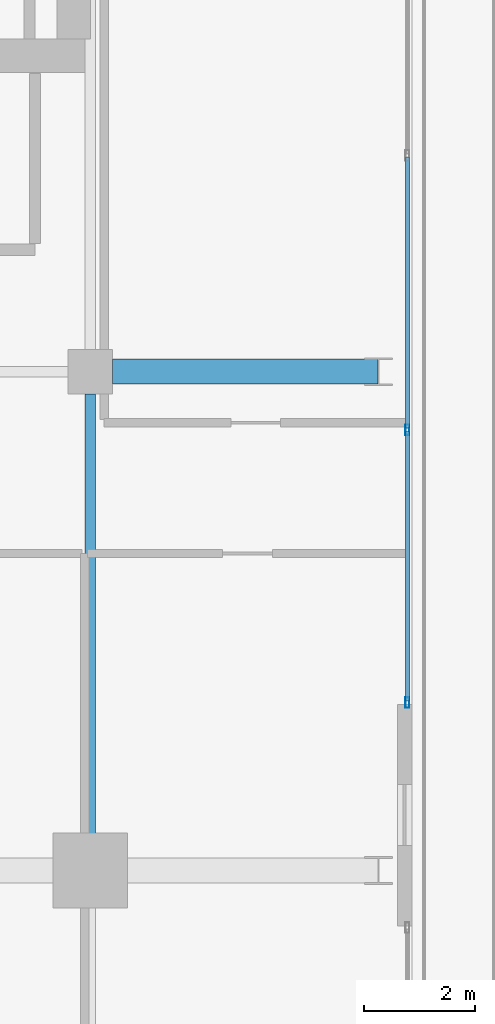
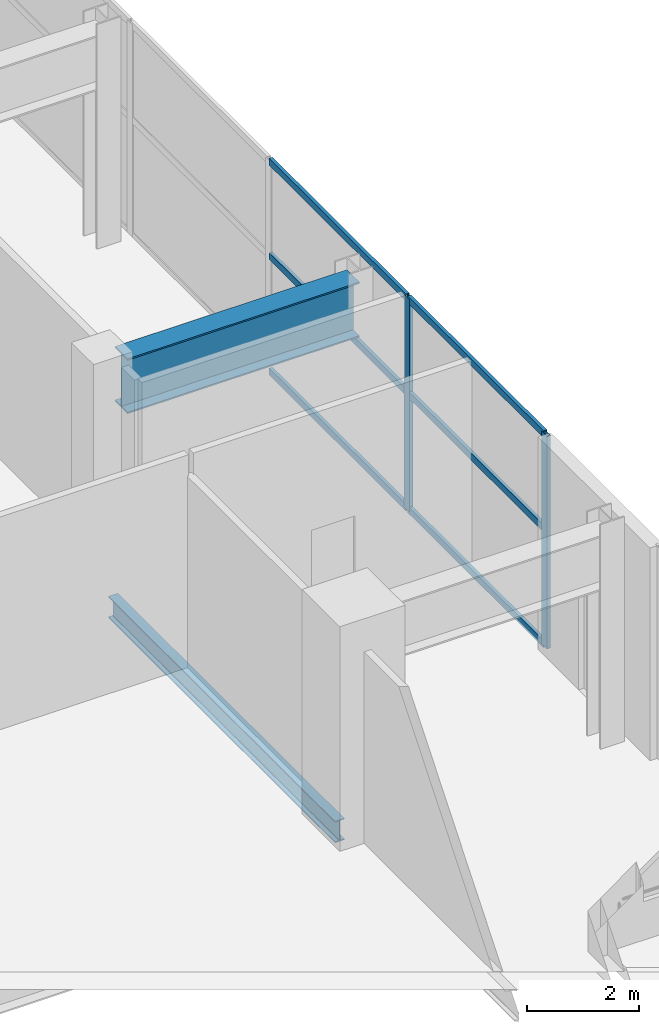
# One storey, part 11 of 22: 8 members, 2 beams, 1 element without a shape of its own.
"""IFC4 building model written with IfcOpenShell, lengths in metres."""

from ifc_helpers import new_model, si_unit, direction, frame, origin, origin_2d, place, context, subcontext, project, spatial, hollow_rectangle, i_section, extrude, material, layer, layer_set, material_profile, profile_set, type_object, element, aggregate, save


model = new_model("IFC4")

# Units and contexts
model_context = context("Model", 3, precision=1e-05, world=origin(), true_north=direction((0.0, 1.0)))
body_context = subcontext(model_context, "Body", "Model", "MODEL_VIEW")
ifc_project = project(units=[si_unit("LENGTHUNIT", "METRE"), si_unit("AREAUNIT", "SQUARE_METRE"), si_unit("VOLUMEUNIT", "CUBIC_METRE"), si_unit("PLANEANGLEUNIT", "RADIAN"), si_unit("MASSUNIT", "GRAM", prefix="KILO")], contexts=[model_context])

# Site, building, storey
site_placement = place(None, origin())
site = spatial("IfcSite", under=ifc_project, at=site_placement, CompositionType="ELEMENT")
building_placement = place(site_placement, origin())
building = spatial("IfcBuilding", under=site, at=building_placement, Name="Maruvema Waterfront Hotel and Observation Tower", CompositionType="ELEMENT")
storey_placement = place(building_placement, frame((0.0, 0.0, 354.199951171875)))
storey = spatial("IfcBuildingStorey", under=building, at=storey_placement, Name="L87", CompositionType="ELEMENT", Elevation=354.199951171875)

# Curtain wall, members
ifc_material_1 = material(Name="Anodised bronze aluminium and solar-control low-E IGU", Category="aluminium")
ifc_layer = layer(ifc_material_1, 0.159912109375, Name="Observation Crown Structural Glazed Curtain Wall System CW-06")
ifc_layer_set = layer_set([ifc_layer], Name="Anodised bronze aluminium and solar-control low-E IGU")
curtain_wall_type = type_object("IfcCurtainWallType", Name="Observation Crown Structural Glazed Curtain Wall System CW-06", PredefinedType="USERDEFINED", material=ifc_layer_set)
curtain_wall_placement = place(storey_placement, origin())
curtain_wall = element("IfcCurtainWall", 1, at=curtain_wall_placement, inside=storey, type_object=curtain_wall_type, Name="L87 Curtain Wall CW-L87-EN", ObjectType="UNITISED CURTAIN WALL", PredefinedType="USERDEFINED")
ifc_material_2 = material(Name="Anodised architectural bronze aluminium", Category="aluminium")
ifc_material_profile_1 = material_profile(ifc_material_2, hollow_rectangle(XDim=0.070068359375, YDim=0.14990234375, WallThickness=0.00390625, at=origin_2d()), Name="ALU-T70x150")
ifc_profile_set_1 = profile_set([ifc_material_profile_1], Name="Anodised architectural bronze aluminium")
member_type_1 = type_object("IfcMemberType", Name="Curtain Wall Horizontal Transom ALU-T70x150", PredefinedType="USERDEFINED", material=ifc_profile_set_1)
member_1_placement = place(storey_placement, frame((56.1201171875, 30.06005859375, 0.030029296875), z_axis=(0.0, 1.0, 0.0), x_axis=(-1.0, 0.0, 0.0)))
member_1 = element("IfcMember", 2, at=member_1_placement, type_object=member_type_1, Name="CW-06 transom 1.1", ObjectType="TRANSOM", PredefinedType="USERDEFINED", context=body_context, shape_type="SweptSolid", body=[
    extrude(hollow_rectangle(XDim=0.070068359375, YDim=0.14990234375, WallThickness=0.00390625, at=origin_2d()), origin(), (0.0, 0.0, 1.0), 4.85986328125),
])
member_2_placement = place(storey_placement, frame((56.1201171875, 30.06005859375, 2.550048828125), z_axis=(0.0, 1.0, 0.0), x_axis=(-1.0, 0.0, 0.0)))
member_2 = element("IfcMember", 3, at=member_2_placement, type_object=member_type_1, Name="CW-06 transom 1.2", ObjectType="TRANSOM", PredefinedType="USERDEFINED", context=body_context, shape_type="SweptSolid", body=[
    extrude(hollow_rectangle(XDim=0.070068359375, YDim=0.14990234375, WallThickness=0.00390625, at=origin_2d()), origin(), (0.0, 0.0, 1.0), 4.85986328125),
])
member_3_placement = place(storey_placement, frame((56.1201171875, 30.06005859375, 4.610107421875), z_axis=(0.0, 1.0, 0.0), x_axis=(-1.0, 0.0, 0.0)))
member_3 = element("IfcMember", 4, at=member_3_placement, type_object=member_type_1, Name="CW-06 transom 1.3", ObjectType="TRANSOM", PredefinedType="USERDEFINED", context=body_context, shape_type="SweptSolid", body=[
    extrude(hollow_rectangle(XDim=0.070068359375, YDim=0.14990234375, WallThickness=0.00390625, at=origin_2d()), origin(), (0.0, 0.0, 1.0), 4.85986328125),
])
member_4_placement = place(storey_placement, frame((56.1201171875, 34.97998046875, 0.030029296875), z_axis=(0.0, 1.0, 0.0), x_axis=(-1.0, 0.0, 0.0)))
member_4 = element("IfcMember", 5, at=member_4_placement, type_object=member_type_1, Name="CW-06 transom 2.1", ObjectType="TRANSOM", PredefinedType="USERDEFINED", context=body_context, shape_type="SweptSolid", body=[
    extrude(hollow_rectangle(XDim=0.070068359375, YDim=0.14990234375, WallThickness=0.00390625, at=origin_2d()), origin(), (0.0, 0.0, 1.0), 4.89013671875),
])
member_5_placement = place(storey_placement, frame((56.1201171875, 34.97998046875, 2.550048828125), z_axis=(0.0, 1.0, 0.0), x_axis=(-1.0, 0.0, 0.0)))
member_5 = element("IfcMember", 6, at=member_5_placement, type_object=member_type_1, Name="CW-06 transom 2.2", ObjectType="TRANSOM", PredefinedType="USERDEFINED", context=body_context, shape_type="SweptSolid", body=[
    extrude(hollow_rectangle(XDim=0.070068359375, YDim=0.14990234375, WallThickness=0.00390625, at=origin_2d()), origin(), (0.0, 0.0, 1.0), 4.89013671875),
])
member_6_placement = place(storey_placement, frame((56.1201171875, 34.97998046875, 4.610107421875), z_axis=(0.0, 1.0, 0.0), x_axis=(-1.0, 0.0, 0.0)))
member_6 = element("IfcMember", 7, at=member_6_placement, type_object=member_type_1, Name="CW-06 transom 2.3", ObjectType="TRANSOM", PredefinedType="USERDEFINED", context=body_context, shape_type="SweptSolid", body=[
    extrude(hollow_rectangle(XDim=0.070068359375, YDim=0.14990234375, WallThickness=0.00390625, at=origin_2d()), origin(), (0.0, 0.0, 1.0), 4.89013671875),
])
ifc_material_3 = material(Name="Anodised architectural bronze aluminium", Category="aluminium")
ifc_material_profile_2 = material_profile(ifc_material_3, hollow_rectangle(XDim=0.070068359375, YDim=0.18994140625, WallThickness=0.00390625, at=origin_2d()), Name="ALU-M70x190")
ifc_profile_set_2 = profile_set([ifc_material_profile_2], Name="Anodised architectural bronze aluminium")
member_type_2 = type_object("IfcMemberType", Name="Podium Storefront Heavy Mullion ALU-M70x190", PredefinedType="MULLION", material=ifc_profile_set_2)
member_7_placement = place(storey_placement, frame((56.1201171875, 30.030029296875, 0.0), z_axis=(0.0, 0.0, 1.0), x_axis=(-1.0, 0.0, 0.0)))
member_7 = element("IfcMember", 8, at=member_7_placement, type_object=member_type_2, Name="CW-06 mullion 1", PredefinedType="MULLION", context=body_context, shape_type="SweptSolid", body=[
    extrude(hollow_rectangle(XDim=0.070068359375, YDim=0.18994140625, WallThickness=0.00390625, at=origin_2d()), origin(), (0.0, 0.0, 1.0), 4.64013671875),
])
member_8_placement = place(storey_placement, frame((56.1201171875, 34.949951171875, 0.0), z_axis=(0.0, 0.0, 1.0), x_axis=(-1.0, 0.0, 0.0)))
member_8 = element("IfcMember", 9, at=member_8_placement, type_object=member_type_2, Name="CW-06 mullion 2", PredefinedType="MULLION", context=body_context, shape_type="SweptSolid", body=[
    extrude(hollow_rectangle(XDim=0.070068359375, YDim=0.18994140625, WallThickness=0.00390625, at=origin_2d()), origin(), (0.0, 0.0, 1.0), 4.64013671875),
])
aggregate(curtain_wall, [member_7, member_8, member_1, member_2, member_3, member_4, member_5, member_6])

# Beams
ifc_material_4 = material(Name="Steel ASTM A572 Grade 50", Category="steel")
ifc_material_profile_3 = material_profile(ifc_material_4, i_section(OverallWidth=0.194091796875, OverallDepth=0.468994140625, WebThickness=0.0126953125, FlangeThickness=0.0205078125, FilletRadius=0.014892578125, at=origin_2d()), Name="W460x106.0")
ifc_profile_set_3 = profile_set([ifc_material_profile_3], Name="Steel ASTM A572 Grade 50")
beam_type_1 = type_object("IfcBeamType", Name="Primary Floor Girder W460x106.0", PredefinedType="BEAM", material=ifc_profile_set_3)
beam_1_placement = place(storey_placement, frame((50.39990234375, 27.5, -0.494384765625), z_axis=(0.0, 1.0, 0.0), x_axis=(-1.0, 0.0, 0.0)))
element("IfcBeam", 10, at=beam_1_placement, inside=storey, type_object=beam_type_1, Name="L87 Floor Girder NS-07", PredefinedType="BEAM", context=body_context, shape_type="SweptSolid", body=[
    extrude(i_section(OverallWidth=0.194091796875, OverallDepth=0.468994140625, WebThickness=0.0126953125, FlangeThickness=0.0205078125, FilletRadius=0.014892578125, at=origin_2d()), origin(), (0.0, 0.0, 1.0), 8.10009765625),
])
ifc_material_5 = material(Name="Steel ABNT NBR 7007 AR 415 (ASTM A572 Grade 50)", Category="steel")
ifc_material_profile_4 = material_profile(ifc_material_5, i_section(OverallWidth=0.449951171875, OverallDepth=1.199951171875, WebThickness=0.01904296875, FlangeThickness=0.031982421875, at=origin_2d()), Name="VS1200x366")
ifc_profile_set_4 = profile_set([ifc_material_profile_4], Name="Steel ABNT NBR 7007 AR 415 (ASTM A572 Grade 50)")
beam_type_2 = type_object("IfcBeamType", Name="Upper Setback Transfer Girder VS1200x366", PredefinedType="USERDEFINED", material=ifc_profile_set_4)
beam_2_placement = place(storey_placement, frame((50.800048828125, 36.0, 4.0400390625), z_axis=(1.0, 0.0, 0.0), x_axis=(0.0, 1.0, 0.0)))
element("IfcBeam", 11, at=beam_2_placement, inside=storey, type_object=beam_type_2, Name="L87 Upper Setback Transfer Girder E Y=36.0m", ObjectType="TRANSFER GIRDER", PredefinedType="USERDEFINED", context=body_context, shape_type="SweptSolid", body=[
    extrude(i_section(OverallWidth=0.449951171875, OverallDepth=1.199951171875, WebThickness=0.01904296875, FlangeThickness=0.031982421875, at=origin_2d()), origin(), (0.0, 0.0, 1.0), 4.7890625),
])

save(model, "model.ifc")
